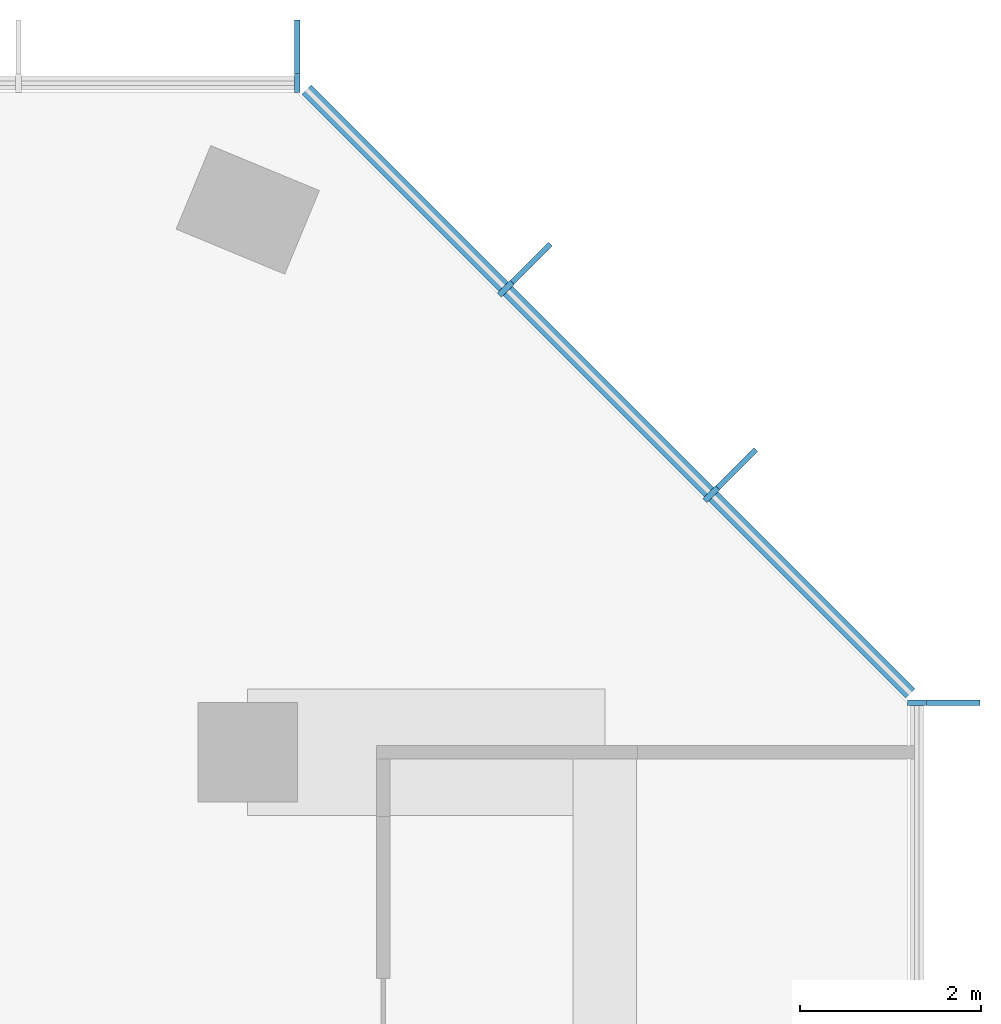
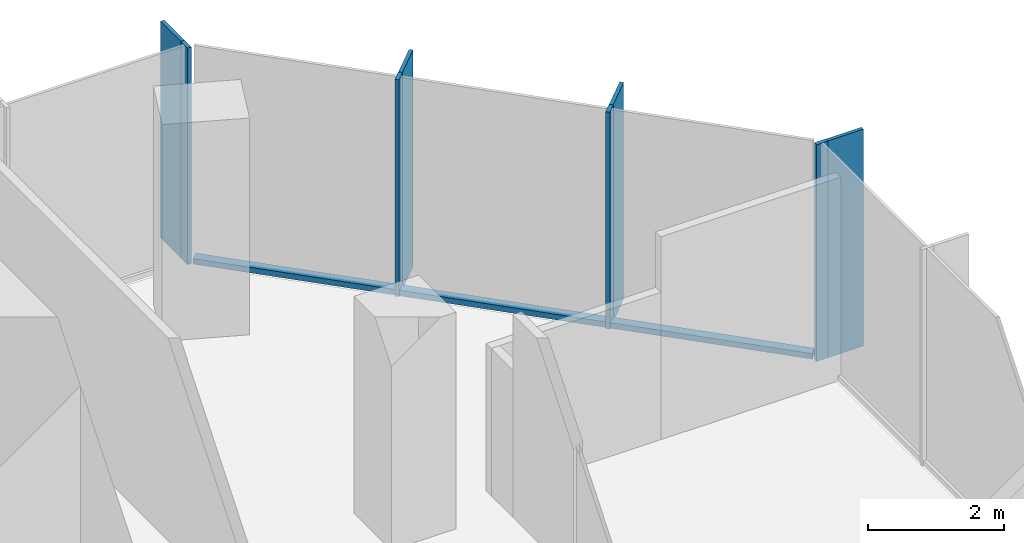
# One storey, part 6 of 11: 11 members, 3 elements without a shape of their own.
"""IFC4 building model written with IfcOpenShell, lengths in metres."""

from ifc_helpers import new_model, si_unit, direction, frame, origin, origin_2d, place, context, subcontext, project, spatial, rectangle, extrude, material, layer, layer_set, material_profile, profile_set, type_object, element, aggregate, save


model = new_model("IFC4")

# Units and contexts
model_context = context("Model", 3, precision=1e-05, world=origin(), true_north=direction((0.0, 1.0)))
body_context = subcontext(model_context, "Body", "Model", "MODEL_VIEW")
ifc_project = project(units=[si_unit("LENGTHUNIT", "METRE"), si_unit("AREAUNIT", "SQUARE_METRE"), si_unit("VOLUMEUNIT", "CUBIC_METRE"), si_unit("PLANEANGLEUNIT", "RADIAN"), si_unit("MASSUNIT", "GRAM", prefix="KILO")], contexts=[model_context])

# Site, building, storey
site_placement = place(None, origin())
site = spatial("IfcSite", under=ifc_project, at=site_placement, CompositionType="ELEMENT")
building_placement = place(site_placement, origin())
building = spatial("IfcBuilding", under=site, at=building_placement, Name="Highveld Stack Headquarters", CompositionType="ELEMENT")
storey_placement = place(building_placement, frame((0.0, 0.0, 284.0)))
storey = spatial("IfcBuildingStorey", under=building, at=storey_placement, Name="L70", CompositionType="ELEMENT", Elevation=284.0)

# Curtain wall, member
ifc_material_1 = material(Name="Aluminium bronze anodised", Category="aluminium")
ifc_layer = layer(ifc_material_1, 0.199951171875)
ifc_layer_set = layer_set([ifc_layer], Name="Aluminium bronze anodised")
curtain_wall_type = type_object("IfcCurtainWallType", Name="CW5 EXECUTIVE UNITISED CURTAIN WALL", PredefinedType="NOTDEFINED", material=ifc_layer_set)
curtain_wall_1_placement = place(storey_placement, origin())
curtain_wall_1 = element("IfcCurtainWall", 1, at=curtain_wall_1_placement, inside=storey, type_object=curtain_wall_type, Name="Curtain wall CW5 L70 E", PredefinedType="NOTDEFINED")
ifc_material_2 = material(Name="Aluminium bronze anodised", Category="aluminium")
ifc_material_profile_1 = material_profile(ifc_material_2, rectangle(XDim=0.60009765625, YDim=0.06005859375, at=origin_2d()), Name="FIN 600x60")
ifc_profile_set_1 = profile_set([ifc_material_profile_1], Name="Aluminium bronze anodised")
member_type_1 = type_object("IfcMemberType", Name="CW5 BRONZE FIN 600x60", PredefinedType="USERDEFINED", material=ifc_profile_set_1)
member_1_placement = place(storey_placement, frame((31.800048828125, 12.54736328125, 0.0), z_axis=(0.0, 0.0, 1.0), x_axis=(-1.0, 0.0, 0.0)))
member_1 = element("IfcMember", 2, at=member_1_placement, type_object=member_type_1, Name="CW5 fin L70 9", ObjectType="FIN", PredefinedType="USERDEFINED", context=body_context, shape_type="SweptSolid", body=[
    extrude(rectangle(XDim=0.60009765625, YDim=0.06005859375, at=origin_2d()), origin(), (0.0, 0.0, 1.0), 3.89990234375),
])

# Curtain wall, members
curtain_wall_2_placement = place(storey_placement, origin())
curtain_wall_2 = element("IfcCurtainWall", 3, at=curtain_wall_2_placement, inside=storey, type_object=curtain_wall_type, Name="Curtain wall CW5 L70 NE", PredefinedType="NOTDEFINED")
member_2_placement = place(storey_placement, frame((29.409423828125, 15.135986328125, 0.0), z_axis=(0.0, 0.0, 1.0), x_axis=(-0.707106781187, -0.707106781187, 0.0)))
member_2 = element("IfcMember", 4, at=member_2_placement, type_object=member_type_1, Name="CW5 fin L70 1", ObjectType="FIN", PredefinedType="USERDEFINED", context=body_context, shape_type="SweptSolid", body=[
    extrude(rectangle(XDim=0.60009765625, YDim=0.06005859375, at=origin_2d()), origin(), (0.0, 0.0, 1.0), 3.89990234375),
])
member_3_placement = place(storey_placement, frame((27.135986328125, 17.409423828125, 0.0), z_axis=(0.0, 0.0, 1.0), x_axis=(-0.707106781187, -0.707106781187, 0.0)))
member_3 = element("IfcMember", 5, at=member_3_placement, type_object=member_type_1, Name="CW5 fin L70 2", ObjectType="FIN", PredefinedType="USERDEFINED", context=body_context, shape_type="SweptSolid", body=[
    extrude(rectangle(XDim=0.60009765625, YDim=0.06005859375, at=origin_2d()), origin(), (0.0, 0.0, 1.0), 3.89990234375),
])

# Curtain wall, member
curtain_wall_3_placement = place(storey_placement, origin())
curtain_wall_3 = element("IfcCurtainWall", 6, at=curtain_wall_3_placement, inside=storey, type_object=curtain_wall_type, Name="Curtain wall CW5 L70 N", PredefinedType="NOTDEFINED")
member_4_placement = place(storey_placement, frame((24.54736328125, 19.800048828125, 0.0), z_axis=(0.0, 0.0, 1.0), x_axis=(0.0, -1.0, 0.0)))
member_4 = element("IfcMember", 7, at=member_4_placement, type_object=member_type_1, Name="CW5 fin L70 1", ObjectType="FIN", PredefinedType="USERDEFINED", context=body_context, shape_type="SweptSolid", body=[
    extrude(rectangle(XDim=0.60009765625, YDim=0.06005859375, at=origin_2d()), origin(), (0.0, 0.0, 1.0), 3.89990234375),
])

# Member
ifc_material_3 = material(Name="Aluminium bronze anodised", Category="aluminium")
ifc_material_profile_2 = material_profile(ifc_material_3, rectangle(XDim=0.199951171875, YDim=0.06494140625, at=origin_2d()), Name="CW5 MULLION 65x200")
ifc_profile_set_2 = profile_set([ifc_material_profile_2], Name="Aluminium bronze anodised")
member_type_2 = type_object("IfcMemberType", Name="CW5 MULLION 65x200", PredefinedType="MULLION", material=ifc_profile_set_2)
member_5_placement = place(storey_placement, frame((31.39990234375, 12.54736328125, 0.0), z_axis=(0.0, 0.0, 1.0), x_axis=(-1.0, 0.0, 0.0)))
member_5 = element("IfcMember", 8, at=member_5_placement, type_object=member_type_2, Name="CW5 mullion L70 9", PredefinedType="MULLION", context=body_context, shape_type="SweptSolid", body=[
    extrude(rectangle(XDim=0.199951171875, YDim=0.06494140625, at=origin_2d()), origin(), (0.0, 0.0, 1.0), 3.89990234375),
])

aggregate(curtain_wall_1, [member_5, member_1])

member_6_placement = place(storey_placement, frame((29.126708984375, 14.853271484375, 0.0), z_axis=(0.0, 0.0, 1.0), x_axis=(-0.707106781187, -0.707106781187, 0.0)))
member_6 = element("IfcMember", 9, at=member_6_placement, type_object=member_type_2, Name="CW5 mullion L70 1", PredefinedType="MULLION", context=body_context, shape_type="SweptSolid", body=[
    extrude(rectangle(XDim=0.199951171875, YDim=0.06494140625, at=origin_2d()), origin(), (0.0, 0.0, 1.0), 3.89990234375),
])

member_7_placement = place(storey_placement, frame((26.853271484375, 17.126708984375, 0.0), z_axis=(0.0, 0.0, 1.0), x_axis=(-0.707106781187, -0.707106781187, 0.0)))
member_7 = element("IfcMember", 10, at=member_7_placement, type_object=member_type_2, Name="CW5 mullion L70 2", PredefinedType="MULLION", context=body_context, shape_type="SweptSolid", body=[
    extrude(rectangle(XDim=0.199951171875, YDim=0.06494140625, at=origin_2d()), origin(), (0.0, 0.0, 1.0), 3.89990234375),
])

member_8_placement = place(storey_placement, frame((24.54736328125, 19.39990234375, 0.0), z_axis=(0.0, 0.0, 1.0), x_axis=(0.0, -1.0, 0.0)))
member_8 = element("IfcMember", 11, at=member_8_placement, type_object=member_type_2, Name="CW5 mullion L70 1", PredefinedType="MULLION", context=body_context, shape_type="SweptSolid", body=[
    extrude(rectangle(XDim=0.199951171875, YDim=0.06494140625, at=origin_2d()), origin(), (0.0, 0.0, 1.0), 3.89990234375),
])

aggregate(curtain_wall_3, [member_8, member_4])

ifc_material_4 = material(Name="Aluminium bronze anodised", Category="aluminium")
ifc_material_profile_3 = material_profile(ifc_material_4, rectangle(XDim=0.14990234375, YDim=0.10009765625, at=origin_2d()), Name="CW5 TRANSOM 150x100")
ifc_profile_set_3 = profile_set([ifc_material_profile_3], Name="Aluminium bronze anodised")
member_type_3 = type_object("IfcMemberType", Name="CW5 STACK TRANSOM 150x100", PredefinedType="USERDEFINED", material=ifc_profile_set_3)
member_9_placement = place(storey_placement, frame((31.329345703125, 12.650634765625, 0.050048828125), z_axis=(-0.707106781187, 0.707106781187, 0.0), x_axis=(-0.707106781187, -0.707106781187, 0.0)))
member_9 = element("IfcMember", 12, at=member_9_placement, type_object=member_type_3, Name="CW5 transom L70 1.1", ObjectType="TRANSOM", PredefinedType="USERDEFINED", context=body_context, shape_type="SweptSolid", body=[
    extrude(rectangle(XDim=0.14990234375, YDim=0.10009765625, at=origin_2d()), origin(), (0.0, 0.0, 1.0), 3.08251953125),
])

member_10_placement = place(storey_placement, frame((29.103759765625, 14.876220703125, 0.050048828125), z_axis=(-0.707106781187, 0.707106781187, 0.0), x_axis=(-0.707106781187, -0.707106781187, 0.0)))
member_10 = element("IfcMember", 13, at=member_10_placement, type_object=member_type_3, Name="CW5 transom L70 2.1", ObjectType="TRANSOM", PredefinedType="USERDEFINED", context=body_context, shape_type="SweptSolid", body=[
    extrude(rectangle(XDim=0.14990234375, YDim=0.10009765625, at=origin_2d()), origin(), (0.0, 0.0, 1.0), 3.150146484375),
])

member_11_placement = place(storey_placement, frame((26.830322265625, 17.149658203125, 0.050048828125), z_axis=(-0.707106781187, 0.707106781187, 0.0), x_axis=(-0.707106781187, -0.707106781187, 0.0)))
member_11 = element("IfcMember", 14, at=member_11_placement, type_object=member_type_3, Name="CW5 transom L70 3.1", ObjectType="TRANSOM", PredefinedType="USERDEFINED", context=body_context, shape_type="SweptSolid", body=[
    extrude(rectangle(XDim=0.14990234375, YDim=0.10009765625, at=origin_2d()), origin(), (0.0, 0.0, 1.0), 3.08251953125),
])

aggregate(curtain_wall_2, [member_6, member_2, member_7, member_3, member_9, member_10, member_11])

save(model, "model.ifc")
